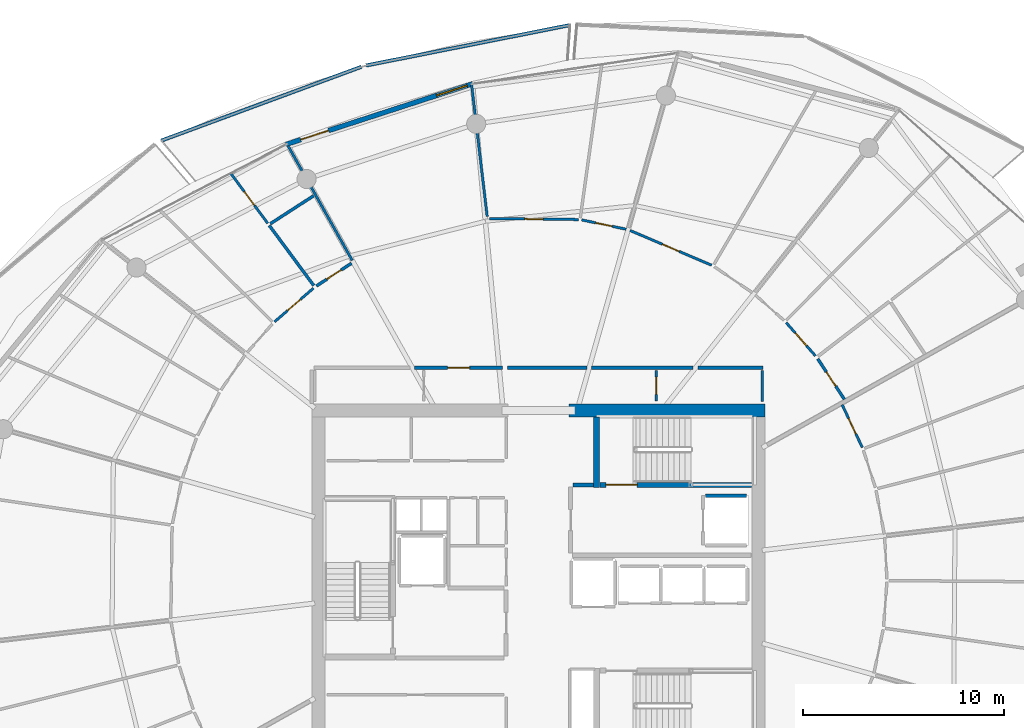
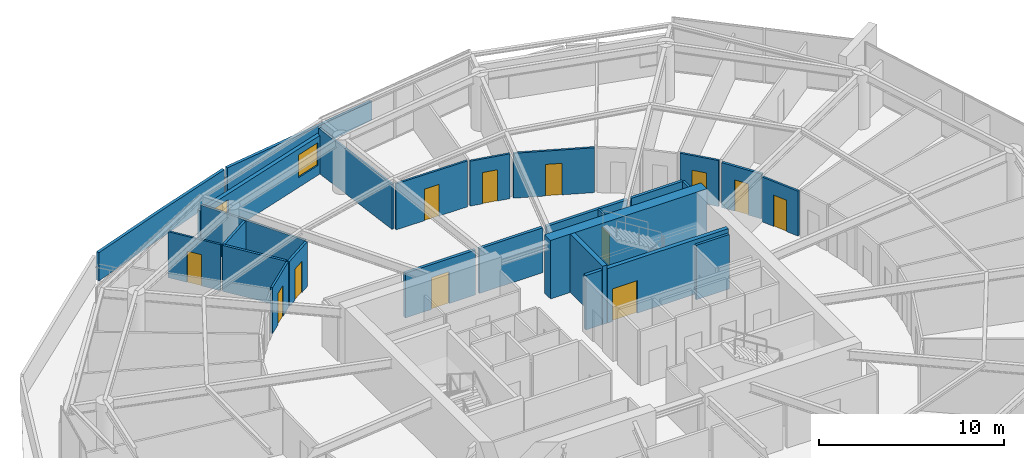
# One storey, part 23 of 31: 27 walls, 13 doors, 1 window, 14 openings.
"""IFC4 building model written with IfcOpenShell, lengths in metres."""

from ifc_helpers import new_model, si_unit, direction, frame, frame_2d, origin, place, context, subcontext, project, spatial, polyline, rectangle, outline, extrude, material, layer, layer_set, type_object, element, fill, save


model = new_model("IFC4")

# Units and contexts
model_context = context("Model", 3, precision=1e-05, world=origin(), true_north=direction((0.0, 1.0)))
body_context = subcontext(model_context, "Body", "Model", "MODEL_VIEW")
ifc_project = project(units=[si_unit("LENGTHUNIT", "METRE"), si_unit("AREAUNIT", "SQUARE_METRE"), si_unit("VOLUMEUNIT", "CUBIC_METRE"), si_unit("PLANEANGLEUNIT", "RADIAN"), si_unit("MASSUNIT", "GRAM", prefix="KILO")], contexts=[model_context])

# Site, building, storey
site_placement = place(None, origin())
site = spatial("IfcSite", under=ifc_project, at=site_placement, CompositionType="ELEMENT")
building_placement = place(site_placement, origin())
building = spatial("IfcBuilding", under=site, at=building_placement, Name="Kazma Halo Residences", CompositionType="ELEMENT")
storey_placement = place(building_placement, frame((0.0, 0.0, 240.550048828125)))
storey = spatial("IfcBuildingStorey", under=building, at=storey_placement, Name="L60", CompositionType="ELEMENT", Elevation=240.550048828125)

# Walls
ifc_material_1 = material(Name="White Concrete C50/60 Balustrade", Category="concrete")
ifc_layer_1 = layer(ifc_material_1, 0.179931640625)
ifc_layer_set_1 = layer_set([ifc_layer_1], Name="White Concrete C50/60 Balustrade")
wall_type_1 = type_object("IfcWallType", Name="WL-BAL-WAVE-180", PredefinedType="PARAPET", material=ifc_layer_set_1)
wall_1_placement = place(storey_placement, frame((49.994384765625, 69.486083984375, 0.0), z_axis=(0.0, 0.0, 1.0), x_axis=(-0.980919619001, -0.194413736807, 0.0)))
element("IfcWall", 1, at=wall_1_placement, inside=storey, type_object=wall_type_1, Name="L60 white wave balustrade wall NNW.1", PredefinedType="PARAPET", context=body_context, shape_type="SweptSolid", body=[
    extrude(outline(polyline([(0.0, 0.0), (10.34375, 0.0), (10.34375, 1.6318359375), (5.171875, 1.41796875), (0.0, 1.23291015625), (0.0, 0.0)])), frame((0.0, 0.08984375, 0.0), z_axis=(0.0, -1.0, 0.0), x_axis=(1.0, 0.0, 0.0)), (0.0, 0.0, 1.0), 0.179931640625),
])
wall_2_placement = place(storey_placement, frame((39.61767578125, 67.410400390625, 0.0), z_axis=(0.0, 0.0, 1.0), x_axis=(-0.938191788678, -0.346115829828, 0.0)))
element("IfcWall", 2, at=wall_2_placement, inside=storey, type_object=wall_type_1, Name="L60 white wave balustrade wall NNW.2", PredefinedType="PARAPET", context=body_context, shape_type="SweptSolid", body=[
    extrude(outline(polyline([(0.0, 0.0), (10.61083984375, 0.0), (10.61083984375, 1.85986328125), (5.305419921875, 1.7978515625), (0.0, 1.6318359375), (0.0, 0.0)])), frame((0.0, 0.08984375, 0.0), z_axis=(0.0, -1.0, 0.0), x_axis=(1.0, 0.0, 0.0)), (0.0, 0.0, 1.0), 0.179931640625),
])
ifc_material_2 = material(Name="Concrete C60/75", Category="concrete")
ifc_layer_2 = layer(ifc_material_2, 0.64990234375)
ifc_layer_set_2 = layer_set([ifc_layer_2], Name="Concrete C60/75")
wall_type_2 = type_object("IfcWallType", Name="WL-CORE-650", PredefinedType="SHEAR", material=ifc_layer_set_2)
wall_3_placement = place(storey_placement, frame((49.949951171875, 50.324951171875, 0.0), z_axis=(0.0, 0.0, 1.0), x_axis=(1.0, 0.0, 0.0)))
element("IfcWall", 3, at=wall_3_placement, inside=storey, type_object=wall_type_2, Name="L60 central core shear wall NE", PredefinedType="SHEAR", context=body_context, shape_type="SweptSolid", body=[
    extrude(rectangle(XDim=9.75, YDim=0.64990234375, at=frame_2d((4.875, 0.0))), origin(), (0.0, 0.0, 1.0), 3.849853515625),
])
ifc_layer_3 = layer(ifc_material_2, 0.280029296875)
ifc_layer_set_3 = layer_set([ifc_layer_3], Name="Concrete C60/75")
wall_type_3 = type_object("IfcWallType", Name="WL-CORE-ST-280", PredefinedType="SHEAR", material=ifc_layer_set_3)
wall_4_placement = place(storey_placement, frame((51.31005859375, 46.5, 0.0), z_axis=(0.0, 0.0, 1.0), x_axis=(0.0, 1.0, 0.0)))
element("IfcWall", 4, at=wall_4_placement, inside=storey, type_object=wall_type_3, Name="L60 stairwell bearing wall ST02-W", PredefinedType="SHEAR", context=body_context, shape_type="SweptSolid", body=[
    extrude(rectangle(XDim=3.5, YDim=0.280029296875, at=frame_2d((1.75, 0.0))), origin(), (0.0, 0.0, 1.0), 3.849853515625),
])

# Wall, opening, door
ifc_material_3 = material(Name="Acoustic Twin-Stud Gypsum")
ifc_layer_4 = layer(ifc_material_3, 0.179931640625)
ifc_layer_set_4 = layer_set([ifc_layer_4], Name="Acoustic Twin-Stud Gypsum")
wall_type_4 = type_object("IfcWallType", Name="WL-DEM-180", PredefinedType="PARTITIONING", material=ifc_layer_set_4)
wall_5_placement = place(storey_placement, frame((46.643310546875, 52.449951171875, 0.0), z_axis=(0.0, 0.0, 1.0), x_axis=(-1.0, 0.0, 0.0)))
wall_5 = element("IfcWall", 5, at=wall_5_placement, inside=storey, type_object=wall_type_4, Name="L60 Apartment 1 entrance corridor wall", PredefinedType="PARTITIONING", context=body_context, shape_type="SweptSolid", body=[
    extrude(rectangle(XDim=4.375732421875, YDim=0.179931640625, at=frame_2d((2.18798828125, 0.0))), origin(), (0.0, 0.0, 1.0), 2.95703125),
])
opening_1_placement = place(wall_5_placement, frame((1.6376953125, 0.0, 0.0)))
opening_1 = element("IfcOpeningElement", 6, at=opening_1_placement, cuts=wall_5, Name="Opening DA-1100", PredefinedType="OPENING", context=body_context, shape_type="SweptSolid", body=[
    extrude(rectangle(XDim=1.10009765625, YDim=2.10009765625, at=frame_2d((0.550048828125, 1.050048828125))), frame((0.0, 0.099853515625, 0.0), z_axis=(0.0, -1.0, 0.0), x_axis=(1.0, 0.0, 0.0)), (0.0, 0.0, 1.0), 0.199951171875),
])
ifc_material_4 = material(Name="Acoustic Walnut Fire Leaf")
door_type_1 = type_object("IfcDoorType", Name="DR-FD60-1100", OperationType="NOTDEFINED", PredefinedType="DOOR", material=ifc_material_4)
door_1_placement = place(opening_1_placement, origin())
door_1 = element("IfcDoor", 7, at=door_1_placement, inside=storey, type_object=door_type_1, Name="L60 Apartment 1 entrance fire door", OperationType="SINGLE_SWING_RIGHT", OverallHeight=2.10009765625, OverallWidth=1.10009765625, PredefinedType="DOOR", context=body_context, shape_type="SweptSolid", body=[
    extrude(rectangle(XDim=1.10009765625, YDim=2.10009765625, at=frame_2d((0.550048828125, 1.050048828125))), frame((0.0, 0.02490234375, 0.0), z_axis=(0.0, -1.0, 0.0), x_axis=(1.0, 0.0, 0.0)), (0.0, 0.0, 1.0), 0.050048828125),
])
fill(opening_1, door_1)

# Walls
wall_6_placement = place(storey_placement, frame((59.580078125, 52.449951171875, 0.0), z_axis=(0.0, 0.0, 1.0), x_axis=(-1.0, 0.0, 0.0)))
element("IfcWall", 8, at=wall_6_placement, inside=storey, type_object=wall_type_4, Name="L60 Apartment 1 inner wall 0", PredefinedType="PARTITIONING", context=body_context, shape_type="SweptSolid", body=[
    extrude(rectangle(XDim=3.221923828125, YDim=0.179931640625, at=frame_2d((1.61083984375, 0.0))), origin(), (0.0, 0.0, 1.0), 2.95703125),
])
wall_7_placement = place(storey_placement, frame((56.1181640625, 52.449951171875, 0.0), z_axis=(0.0, 0.0, 1.0), x_axis=(-1.0, 0.0, 0.0)))
element("IfcWall", 9, at=wall_7_placement, inside=storey, type_object=wall_type_4, Name="L60 Apartment 1 inner wall 1", PredefinedType="PARTITIONING", context=body_context, shape_type="SweptSolid", body=[
    extrude(rectangle(XDim=5.051025390625, YDim=0.179931640625, at=frame_2d((2.525390625, 0.0))), origin(), (0.0, 0.0, 1.0), 2.95703125),
])
wall_8_placement = place(storey_placement, frame((50.8271484375, 52.449951171875, 0.0), z_axis=(0.0, 0.0, 1.0), x_axis=(-1.0, 0.0, 0.0)))
element("IfcWall", 10, at=wall_8_placement, inside=storey, type_object=wall_type_4, Name="L60 Apartment 1 inner wall 2", PredefinedType="PARTITIONING", context=body_context, shape_type="SweptSolid", body=[
    extrude(rectangle(XDim=3.94384765625, YDim=0.179931640625, at=frame_2d((1.971923828125, 0.0))), origin(), (0.0, 0.0, 1.0), 2.95703125),
])

# Wall, openings, door, window
ifc_material_5 = material(Name="Insulated Pale-Metal Composite Wall")
ifc_layer_5 = layer(ifc_material_5, 0.239990234375)
ifc_layer_set_5 = layer_set([ifc_layer_5], Name="Insulated Pale-Metal Composite Wall")
wall_type_5 = type_object("IfcWallType", Name="WL-EXT-HOST-240", PredefinedType="SOLIDWALL", material=ifc_layer_set_5)
wall_9_placement = place(storey_placement, frame((45.14208984375, 66.563720703125, 0.0), z_axis=(0.0, 0.0, 1.0), x_axis=(-0.951055974609, -0.309018661507, 0.0)))
wall_9 = element("IfcWall", 11, at=wall_9_placement, inside=storey, type_object=wall_type_5, Name="L60 exterior terrace-access wall B04", PredefinedType="SOLIDWALL", context=body_context, shape_type="SweptSolid", body=[
    extrude(rectangle(XDim=9.745361328125, YDim=0.239990234375, at=frame_2d((4.87255859375, 0.0))), origin(), (0.0, 0.0, 1.0), 2.5400390625),
])
opening_2_placement = place(wall_9_placement, frame((7.525390625, 0.0, 0.0)))
opening_2 = element("IfcOpeningElement", 12, at=opening_2_placement, cuts=wall_9, Name="Opening DTR-1600", PredefinedType="OPENING", context=body_context, shape_type="SweptSolid", body=[
    extrude(rectangle(XDim=1.449951171875, YDim=2.14990234375, at=frame_2d((0.72509765625, 1.074951171875))), frame((0.0, 0.1298828125, 0.0), z_axis=(0.0, -1.0, 0.0), x_axis=(1.0, 0.0, 0.0)), (0.0, 0.0, 1.0), 0.260009765625),
])
opening_3_placement = place(wall_9_placement, frame((0.280029296875, 0.0, 0.64990234375)))
opening_3 = element("IfcOpeningElement", 13, at=opening_3_placement, cuts=wall_9, Name="Opening W-1800", PredefinedType="OPENING", context=body_context, shape_type="SweptSolid", body=[
    extrude(rectangle(XDim=1.60009765625, YDim=1.5, at=frame_2d((0.800048828125, 0.75))), frame((0.0, 0.1298828125, 0.0), z_axis=(0.0, -1.0, 0.0), x_axis=(1.0, 0.0, 0.0)), (0.0, 0.0, 1.0), 0.260009765625),
])
ifc_material_6 = material(Name="Aluminium AW-6063 T6 Double-Glazed Terrace Door", Category="aluminium")
door_type_2 = type_object("IfcDoorType", Name="DR-EXT-TERR-1600", OperationType="NOTDEFINED", PredefinedType="DOOR", material=ifc_material_6)
door_2_placement = place(opening_2_placement, origin())
door_2 = element("IfcDoor", 14, at=door_2_placement, inside=storey, type_object=door_type_2, Name="L60 B04 balcony terrace door", OperationType="DOUBLE_DOOR_SLIDING", OverallHeight=2.14990234375, OverallWidth=1.449951171875, PredefinedType="DOOR", context=body_context, shape_type="SweptSolid", body=[
    extrude(rectangle(XDim=1.449951171875, YDim=2.14990234375, at=frame_2d((0.72509765625, 1.074951171875))), frame((0.0, 0.02490234375, 0.0), z_axis=(0.0, -1.0, 0.0), x_axis=(1.0, 0.0, 0.0)), (0.0, 0.0, 1.0), 0.050048828125),
])
fill(opening_2, door_2)
ifc_material_7 = material(Name="Clear Triple-Silver Low-E Glass in Aluminium AW-6063 T6 Frame", Category="aluminium")
window_type = type_object("IfcWindowType", Name="WIN-RES-1800", PartitioningType="DOUBLE_PANEL_VERTICAL", PredefinedType="WINDOW", material=ifc_material_7)
window_placement = place(opening_3_placement, origin())
window = element("IfcWindow", 15, at=window_placement, inside=storey, type_object=window_type, Name="L60 B04 apartment window", OverallHeight=1.5, OverallWidth=1.60009765625, PartitioningType="SINGLE_PANEL", PredefinedType="WINDOW", context=body_context, shape_type="SweptSolid", body=[
    extrude(rectangle(XDim=1.60009765625, YDim=1.5, at=frame_2d((0.800048828125, 0.75))), frame((0.0, 0.030029296875, 0.0), z_axis=(0.0, -1.0, 0.0), x_axis=(1.0, 0.0, 0.0)), (0.0, 0.0, 1.0), 0.06005859375),
])
fill(opening_3, window)

# Walls
ifc_material_8 = material(Name="Fire-Rated Blockwork Masonry", Category="masonry")
ifc_layer_6 = layer(ifc_material_8, 0.199951171875)
ifc_layer_set_6 = layer_set([ifc_layer_6], Name="Fire-Rated Blockwork Masonry")
wall_type_6 = type_object("IfcWallType", Name="WL-FLB-200", PredefinedType="PARTITIONING", material=ifc_layer_set_6)
wall_10_placement = place(storey_placement, frame((56.719970703125, 46.080078125, 0.0), z_axis=(0.0, 0.0, 1.0), x_axis=(1.0, 0.0, 0.0)))
element("IfcWall", 16, at=wall_10_placement, inside=storey, type_object=wall_type_6, Name="L60 lift shaft FL-02 side wall N", PredefinedType="PARTITIONING", context=body_context, shape_type="SweptSolid", body=[
    extrude(rectangle(XDim=2.06005859375, YDim=0.159912109375, at=frame_2d((1.030029296875, 0.0))), origin(), (0.0, 0.0, 1.0), 3.58984375),
])
wall_11_placement = place(storey_placement, frame((50.139892578125, 46.6201171875, 0.0), z_axis=(0.0, 0.0, 1.0), x_axis=(1.0, 0.0, 0.0)))
element("IfcWall", 17, at=wall_11_placement, inside=storey, type_object=wall_type_6, Name="L60 east firefighting lobby north closure wall", PredefinedType="PARTITIONING", context=body_context, shape_type="SweptSolid", body=[
    extrude(rectangle(XDim=1.02001953125, YDim=0.199951171875, at=frame_2d((0.510009765625, 0.0))), origin(), (0.0, 0.0, 1.0), 3.58984375),
])
ifc_material_9 = material(Name="Gypsum Plasterboard Partition")
ifc_layer_7 = layer(ifc_material_9, 0.125)
ifc_layer_set_7 = layer_set([ifc_layer_7], Name="Gypsum Plasterboard Partition")
wall_type_7 = type_object("IfcWallType", Name="WL-PART-125", PredefinedType="PARTITIONING", material=ifc_layer_set_7)
wall_12_placement = place(storey_placement, frame((59.56005859375, 50.77001953125, 0.0), z_axis=(0.0, 0.0, 1.0), x_axis=(0.0, 1.0, 0.0)))
element("IfcWall", 18, at=wall_12_placement, inside=storey, type_object=wall_type_7, Name="L60 east cupboard end wall", PredefinedType="PARTITIONING", context=body_context, shape_type="SweptSolid", body=[
    extrude(rectangle(XDim=1.5400390625, YDim=0.125, at=frame_2d((0.77001953125, 0.0))), origin(), (0.0, 0.0, 1.0), 3.030029296875),
])

# Wall, opening, door
wall_13_placement = place(storey_placement, frame((54.2900390625, 50.7900390625, 0.0), z_axis=(0.0, 0.0, 1.0), x_axis=(0.0, 1.0, 0.0)))
wall_13 = element("IfcWall", 19, at=wall_13_placement, inside=storey, type_object=wall_type_7, Name="L60 floor metering cupboard door wall", PredefinedType="PARTITIONING", context=body_context, shape_type="SweptSolid", body=[
    extrude(rectangle(XDim=1.52001953125, YDim=0.125, at=frame_2d((0.760009765625, 0.0))), origin(), (0.0, 0.0, 1.0), 3.030029296875),
])
opening_4_placement = place(wall_13_placement, frame((0.3349609375, 0.0, 0.0)))
opening_4 = element("IfcOpeningElement", 20, at=opening_4_placement, cuts=wall_13, Name="Opening DS-850", PredefinedType="OPENING", context=body_context, shape_type="SweptSolid", body=[
    extrude(rectangle(XDim=0.85009765625, YDim=2.06005859375, at=frame_2d((0.425048828125, 1.030029296875))), frame((0.0, 0.072509765625, 0.0), z_axis=(0.0, -1.0, 0.0), x_axis=(1.0, 0.0, 0.0)), (0.0, 0.0, 1.0), 0.14501953125),
])
ifc_material_10 = material(Name="Painted Steel Access Leaf", Category="steel")
door_type_3 = type_object("IfcDoorType", Name="DR-SVC-850", OperationType="NOTDEFINED", PredefinedType="DOOR", material=ifc_material_10)
door_3_placement = place(opening_4_placement, origin())
door_3 = element("IfcDoor", 21, at=door_3_placement, inside=storey, type_object=door_type_3, Name="L60 floor cupboard door", OperationType="SINGLE_SWING_RIGHT", OverallHeight=2.06005859375, OverallWidth=0.85009765625, PredefinedType="DOOR", context=body_context, shape_type="SweptSolid", body=[
    extrude(rectangle(XDim=0.85009765625, YDim=2.06005859375, at=frame_2d((0.425048828125, 1.030029296875))), frame((0.0, 0.02490234375, 0.0), z_axis=(0.0, -1.0, 0.0), x_axis=(1.0, 0.0, 0.0)), (0.0, 0.0, 1.0), 0.050048828125),
])
fill(opening_4, door_3)

wall_14_placement = place(storey_placement, frame((62.200439453125, 53.030517578125, 0.0), z_axis=(0.0, 0.0, 1.0), x_axis=(-0.660650282497, 0.750693815238, 0.0)))
wall_14 = element("IfcWall", 22, at=wall_14_placement, inside=storey, type_object=wall_type_7, Name="L60 Apartment 1 Gourmet Kitchen hall wall", PredefinedType="PARTITIONING", context=body_context, shape_type="SweptSolid", body=[
    extrude(rectangle(XDim=2.21240234375, YDim=0.125, at=frame_2d((1.106201171875, 0.0))), origin(), (0.0, 0.0, 1.0), 3.030029296875),
])
opening_5_placement = place(wall_14_placement, frame((0.681396484375, 0.0, 0.0)))
opening_5 = element("IfcOpeningElement", 23, at=opening_5_placement, cuts=wall_14, Name="Opening DB-900", PredefinedType="OPENING", context=body_context, shape_type="SweptSolid", body=[
    extrude(rectangle(XDim=0.85009765625, YDim=2.06005859375, at=frame_2d((0.425048828125, 1.030029296875))), frame((0.0, 0.072509765625, 0.0), z_axis=(0.0, -1.0, 0.0), x_axis=(1.0, 0.0, 0.0)), (0.0, 0.0, 1.0), 0.14501953125),
])
ifc_material_11 = material(Name="Moisture-Sealed Timber Leaf", Category="wood")
door_type_4 = type_object("IfcDoorType", Name="DR-BTH-900", OperationType="NOTDEFINED", PredefinedType="DOOR", material=ifc_material_11)
door_4_placement = place(opening_5_placement, origin())
door_4 = element("IfcDoor", 24, at=door_4_placement, inside=storey, type_object=door_type_4, Name="L60 Apartment 1 Gourmet Kitchen door", OperationType="SINGLE_SWING_LEFT", OverallHeight=2.06005859375, OverallWidth=0.85009765625, PredefinedType="DOOR", context=body_context, shape_type="SweptSolid", body=[
    extrude(rectangle(XDim=0.85009765625, YDim=2.06005859375, at=frame_2d((0.425048828125, 1.030029296875))), frame((0.0, 0.02490234375, 0.0), z_axis=(0.0, -1.0, 0.0), x_axis=(1.0, 0.0, 0.0)), (0.0, 0.0, 1.0), 0.050048828125),
])
fill(opening_5, door_4)

wall_15_placement = place(storey_placement, frame((57.03369140625, 57.542236328125, 0.0), z_axis=(0.0, 0.0, 1.0), x_axis=(-0.919921628857, 0.392102278445, 0.0)))
wall_15 = element("IfcWall", 25, at=wall_15_placement, inside=storey, type_object=wall_type_7, Name="L60 Apartment 1 West Formal Dining Room hall wall", PredefinedType="PARTITIONING", context=body_context, shape_type="SweptSolid", body=[
    extrude(rectangle(XDim=4.41259765625, YDim=0.125, at=frame_2d((2.206298828125, 0.0))), origin(), (0.0, 0.0, 1.0), 2.95703125),
])
opening_6_placement = place(wall_15_placement, frame((1.75634765625, 0.0, 0.0)))
opening_6 = element("IfcOpeningElement", 26, at=opening_6_placement, cuts=wall_15, Name="Opening DI-950", PredefinedType="OPENING", context=body_context, shape_type="SweptSolid", body=[
    extrude(rectangle(XDim=0.89990234375, YDim=2.080078125, at=frame_2d((0.449951171875, 1.0400390625))), frame((0.0, 0.072509765625, 0.0), z_axis=(0.0, -1.0, 0.0), x_axis=(1.0, 0.0, 0.0)), (0.0, 0.0, 1.0), 0.14501953125),
])
ifc_material_12 = material(Name="Timber Veneer Flush Leaf", Category="wood")
door_type_5 = type_object("IfcDoorType", Name="DR-INT-950", OperationType="NOTDEFINED", PredefinedType="DOOR", material=ifc_material_12)
door_5_placement = place(opening_6_placement, origin())
door_5 = element("IfcDoor", 27, at=door_5_placement, inside=storey, type_object=door_type_5, Name="L60 Apartment 1 West Formal Dining Room door", OperationType="SINGLE_SWING_LEFT", OverallHeight=2.080078125, OverallWidth=0.89990234375, PredefinedType="DOOR", context=body_context, shape_type="SweptSolid", body=[
    extrude(rectangle(XDim=0.89990234375, YDim=2.080078125, at=frame_2d((0.449951171875, 1.0400390625))), frame((0.0, 0.02490234375, 0.0), z_axis=(0.0, -1.0, 0.0), x_axis=(1.0, 0.0, 0.0)), (0.0, 0.0, 1.0), 0.050048828125),
])
fill(opening_6, door_5)

# Wall
wall_16_placement = place(storey_placement, frame((45.8740234375, 59.961669921875, 0.0), z_axis=(0.0, 0.0, 1.0), x_axis=(-0.117533659592, 0.993068899353, 0.0)))
element("IfcWall", 28, at=wall_16_placement, inside=storey, type_object=wall_type_7, Name="L60 Apartment 1 living radial partition 2", PredefinedType="PARTITIONING", context=body_context, shape_type="SweptSolid", body=[
    extrude(rectangle(XDim=6.607666015625, YDim=0.125, at=frame_2d((3.3037109375, 0.0))), origin(), (0.0, 0.0, 1.0), 2.95703125),
])

# Wall, opening, door
wall_17_placement = place(storey_placement, frame((52.784423828125, 59.332275390625, 0.0), z_axis=(0.0, 0.0, 1.0), x_axis=(-0.978655016217, 0.205509997891, 0.0)))
wall_17 = element("IfcWall", 29, at=wall_17_placement, inside=storey, type_object=wall_type_7, Name="L60 Apartment 1 North Dressing Wardrobe hall wall", PredefinedType="PARTITIONING", context=body_context, shape_type="SweptSolid", body=[
    extrude(rectangle(XDim=2.261962890625, YDim=0.125, at=frame_2d((1.130859375, 0.0))), origin(), (0.0, 0.0, 1.0), 2.95703125),
])
opening_7_placement = place(wall_17_placement, frame((0.7060546875, 0.0, 0.0)))
opening_7 = element("IfcOpeningElement", 30, at=opening_7_placement, cuts=wall_17, Name="Opening DB-900", PredefinedType="OPENING", context=body_context, shape_type="SweptSolid", body=[
    extrude(rectangle(XDim=0.85009765625, YDim=2.06005859375, at=frame_2d((0.425048828125, 1.030029296875))), frame((0.0, 0.072509765625, 0.0), z_axis=(0.0, -1.0, 0.0), x_axis=(1.0, 0.0, 0.0)), (0.0, 0.0, 1.0), 0.14501953125),
])
door_6_placement = place(opening_7_placement, origin())
door_6 = element("IfcDoor", 31, at=door_6_placement, inside=storey, type_object=door_type_4, Name="L60 Apartment 1 North Dressing Wardrobe door", OperationType="SINGLE_SWING_LEFT", OverallHeight=2.06005859375, OverallWidth=0.85009765625, PredefinedType="DOOR", context=body_context, shape_type="SweptSolid", body=[
    extrude(rectangle(XDim=0.85009765625, YDim=2.06005859375, at=frame_2d((0.425048828125, 1.030029296875))), frame((0.0, 0.02490234375, 0.0), z_axis=(0.0, -1.0, 0.0), x_axis=(1.0, 0.0, 0.0)), (0.0, 0.0, 1.0), 0.050048828125),
])
fill(opening_7, door_6)

wall_18_placement = place(storey_placement, frame((50.412353515625, 59.814208984375, 0.0), z_axis=(0.0, 0.0, 1.0), x_axis=(-0.999943934923, 0.01058900422, 0.0)))
wall_18 = element("IfcWall", 32, at=wall_18_placement, inside=storey, type_object=wall_type_7, Name="L60 Apartment 1 South Master Bedroom hall wall", PredefinedType="PARTITIONING", context=body_context, shape_type="SweptSolid", body=[
    extrude(rectangle(XDim=4.4267578125, YDim=0.125, at=frame_2d((2.21337890625, 0.0))), origin(), (0.0, 0.0, 1.0), 3.030029296875),
])
opening_8_placement = place(wall_18_placement, frame((1.763427734375, 0.0, 0.0)))
opening_8 = element("IfcOpeningElement", 33, at=opening_8_placement, cuts=wall_18, Name="Opening DI-950", PredefinedType="OPENING", context=body_context, shape_type="SweptSolid", body=[
    extrude(rectangle(XDim=0.89990234375, YDim=2.080078125, at=frame_2d((0.449951171875, 1.0400390625))), frame((0.0, 0.072509765625, 0.0), z_axis=(0.0, -1.0, 0.0), x_axis=(1.0, 0.0, 0.0)), (0.0, 0.0, 1.0), 0.14501953125),
])
door_7_placement = place(opening_8_placement, origin())
door_7 = element("IfcDoor", 34, at=door_7_placement, inside=storey, type_object=door_type_5, Name="L60 Apartment 1 South Master Bedroom door", OperationType="SINGLE_SWING_RIGHT", OverallHeight=2.080078125, OverallWidth=0.89990234375, PredefinedType="DOOR", context=body_context, shape_type="SweptSolid", body=[
    extrude(rectangle(XDim=0.89990234375, YDim=2.080078125, at=frame_2d((0.449951171875, 1.0400390625))), frame((0.0, 0.02490234375, 0.0), z_axis=(0.0, -1.0, 0.0), x_axis=(1.0, 0.0, 0.0)), (0.0, 0.0, 1.0), 0.050048828125),
])
fill(opening_8, door_7)

# Wall
wall_19_placement = place(storey_placement, frame((39.162353515625, 57.78076171875, 0.0), z_axis=(0.0, 0.0, 1.0), x_axis=(-0.488634212347, 0.872488742921, 0.0)))
element("IfcWall", 35, at=wall_19_placement, inside=storey, type_object=wall_type_7, Name="L60 Apartment 1 radial partition 4", PredefinedType="PARTITIONING", context=body_context, shape_type="SweptSolid", body=[
    extrude(rectangle(XDim=6.5078125, YDim=0.125, at=frame_2d((3.25390625, 0.0))), origin(), (0.0, 0.0, 1.0), 2.95703125),
])

# Wall, opening, door
wall_20_placement = place(storey_placement, frame((34.958984375, 59.62744140625, 0.0), z_axis=(0.0, 0.0, 1.0), x_axis=(-0.594802878268, 0.803871591738, 0.0)))
wall_20 = element("IfcWall", 36, at=wall_20_placement, inside=storey, type_object=wall_type_7, Name="L60 Apartment 1 Outer Walk-In Wardrobe partition wall", PredefinedType="PARTITIONING", context=body_context, shape_type="SweptSolid", body=[
    extrude(rectangle(XDim=3.06640625, YDim=0.125, at=frame_2d((1.533203125, 0.0))), origin(), (0.0, 0.0, 1.0), 3.030029296875),
])
opening_9_placement = place(wall_20_placement, frame((1.1083984375, 0.0, 0.0)))
opening_9 = element("IfcOpeningElement", 37, at=opening_9_placement, cuts=wall_20, Name="Opening DB-900", PredefinedType="OPENING", context=body_context, shape_type="SweptSolid", body=[
    extrude(rectangle(XDim=0.85009765625, YDim=2.06005859375, at=frame_2d((0.425048828125, 1.030029296875))), frame((0.0, 0.072509765625, 0.0), z_axis=(0.0, -1.0, 0.0), x_axis=(1.0, 0.0, 0.0)), (0.0, 0.0, 1.0), 0.14501953125),
])
door_8_placement = place(opening_9_placement, origin())
door_8 = element("IfcDoor", 38, at=door_8_placement, inside=storey, type_object=door_type_4, Name="L60 Apartment 1 Outer Walk-In Wardrobe door", OperationType="SINGLE_SWING_RIGHT", OverallHeight=2.06005859375, OverallWidth=0.85009765625, PredefinedType="DOOR", context=body_context, shape_type="SweptSolid", body=[
    extrude(rectangle(XDim=0.85009765625, YDim=2.06005859375, at=frame_2d((0.425048828125, 1.030029296875))), frame((0.0, 0.02490234375, 0.0), z_axis=(0.0, -1.0, 0.0), x_axis=(1.0, 0.0, 0.0)), (0.0, 0.0, 1.0), 0.050048828125),
])
fill(opening_9, door_8)

wall_21_placement = place(storey_placement, frame((37.234130859375, 56.40087890625, 0.0), z_axis=(0.0, 0.0, 1.0), x_axis=(-0.756561034508, -0.653923084976, 0.0)))
wall_21 = element("IfcWall", 39, at=wall_21_placement, inside=storey, type_object=wall_type_7, Name="L60 Apartment 1 Corner Private Study hall wall", PredefinedType="PARTITIONING", context=body_context, shape_type="SweptSolid", body=[
    extrude(rectangle(XDim=2.55712890625, YDim=0.125, at=frame_2d((1.278564453125, 0.0))), origin(), (0.0, 0.0, 1.0), 3.030029296875),
])
opening_10_placement = place(wall_21_placement, frame((0.853515625, 0.0, 0.0)))
opening_10 = element("IfcOpeningElement", 40, at=opening_10_placement, cuts=wall_21, Name="Opening DB-900", PredefinedType="OPENING", context=body_context, shape_type="SweptSolid", body=[
    extrude(rectangle(XDim=0.85009765625, YDim=2.06005859375, at=frame_2d((0.425048828125, 1.030029296875))), frame((0.0, 0.072509765625, 0.0), z_axis=(0.0, -1.0, 0.0), x_axis=(1.0, 0.0, 0.0)), (0.0, 0.0, 1.0), 0.14501953125),
])
door_9_placement = place(opening_10_placement, origin())
door_9 = element("IfcDoor", 41, at=door_9_placement, inside=storey, type_object=door_type_4, Name="L60 Apartment 1 Corner Private Study door", OperationType="SINGLE_SWING_LEFT", OverallHeight=2.06005859375, OverallWidth=0.85009765625, PredefinedType="DOOR", context=body_context, shape_type="SweptSolid", body=[
    extrude(rectangle(XDim=0.85009765625, YDim=2.06005859375, at=frame_2d((0.425048828125, 1.030029296875))), frame((0.0, 0.02490234375, 0.0), z_axis=(0.0, -1.0, 0.0), x_axis=(1.0, 0.0, 0.0)), (0.0, 0.0, 1.0), 0.050048828125),
])
fill(opening_10, door_9)

wall_22_placement = place(storey_placement, frame((64.52685546875, 48.479248046875, 0.0), z_axis=(0.0, 0.0, 1.0), x_axis=(-0.425751972865, 0.904839907167, 0.0)))
wall_22 = element("IfcWall", 42, at=wall_22_placement, inside=storey, type_object=wall_type_7, Name="L60 Apartment 2 North Master Bedroom hall wall", PredefinedType="PARTITIONING", context=body_context, shape_type="SweptSolid", body=[
    extrude(rectangle(XDim=2.34814453125, YDim=0.125, at=frame_2d((1.174072265625, 0.0))), origin(), (0.0, 0.0, 1.0), 2.95703125),
])
opening_11_placement = place(wall_22_placement, frame((0.7490234375, 0.0, 0.0)))
opening_11 = element("IfcOpeningElement", 43, at=opening_11_placement, cuts=wall_22, Name="Opening DB-900", PredefinedType="OPENING", context=body_context, shape_type="SweptSolid", body=[
    extrude(rectangle(XDim=0.85009765625, YDim=2.06005859375, at=frame_2d((0.425048828125, 1.030029296875))), frame((0.0, 0.072509765625, 0.0), z_axis=(0.0, -1.0, 0.0), x_axis=(1.0, 0.0, 0.0)), (0.0, 0.0, 1.0), 0.14501953125),
])
door_10_placement = place(opening_11_placement, origin())
door_10 = element("IfcDoor", 44, at=door_10_placement, inside=storey, type_object=door_type_4, Name="L60 Apartment 2 North Master Bedroom door", OperationType="SINGLE_SWING_LEFT", OverallHeight=2.06005859375, OverallWidth=0.85009765625, PredefinedType="DOOR", context=body_context, shape_type="SweptSolid", body=[
    extrude(rectangle(XDim=0.85009765625, YDim=2.06005859375, at=frame_2d((0.425048828125, 1.030029296875))), frame((0.0, 0.02490234375, 0.0), z_axis=(0.0, -1.0, 0.0), x_axis=(1.0, 0.0, 0.0)), (0.0, 0.0, 1.0), 0.050048828125),
])
fill(opening_11, door_10)

ifc_material_13 = material(Name="Concrete C50/60", Category="concrete")
ifc_layer_8 = layer(ifc_material_13, 0.25)
ifc_layer_set_8 = layer_set([ifc_layer_8], Name="Concrete C50/60")
wall_type_8 = type_object("IfcWallType", Name="WL-SHF-250", PredefinedType="SOLIDWALL", material=ifc_layer_set_8)
wall_23_placement = place(storey_placement, frame((51.47998046875, 46.6201171875, 0.0), z_axis=(0.0, 0.0, 1.0), x_axis=(1.0, 0.0, 0.0)))
wall_23 = element("IfcWall", 45, at=wall_23_placement, inside=storey, type_object=wall_type_8, Name="L60 exit stair ST-02 enclosure wall", PredefinedType="SOLIDWALL", context=body_context, shape_type="SweptSolid", body=[
    extrude(rectangle(XDim=7.5400390625, YDim=0.25, at=frame_2d((3.77001953125, 0.0))), origin(), (0.0, 0.0, 1.0), 3.58984375),
])
opening_12_placement = place(wall_23_placement, frame((0.300048828125, 0.0, 0.0)))
opening_12 = element("IfcOpeningElement", 46, at=opening_12_placement, cuts=wall_23, Name="Opening D-ST2", PredefinedType="OPENING", context=body_context, shape_type="SweptSolid", body=[
    extrude(rectangle(XDim=1.550048828125, YDim=2.14990234375, at=frame_2d((0.77490234375, 1.074951171875))), frame((0.0, 0.135009765625, 0.0), z_axis=(0.0, -1.0, 0.0), x_axis=(1.0, 0.0, 0.0)), (0.0, 0.0, 1.0), 0.27001953125),
])
ifc_material_14 = material(Name="Fire-Rated Double Steel Leaf", Category="steel")
door_type_6 = type_object("IfcDoorType", Name="DR-FD90-1550", OperationType="NOTDEFINED", PredefinedType="DOOR", material=ifc_material_14)
door_11_placement = place(opening_12_placement, origin())
door_11 = element("IfcDoor", 47, at=door_11_placement, inside=storey, type_object=door_type_6, Name="L60 exit stair ST-02 fire door", OperationType="DOUBLE_DOOR_SINGLE_SWING", OverallHeight=2.14990234375, OverallWidth=1.550048828125, PredefinedType="DOOR", context=body_context, shape_type="SweptSolid", body=[
    extrude(rectangle(XDim=1.550048828125, YDim=2.14990234375, at=frame_2d((0.77490234375, 1.074951171875))), frame((0.0, 0.02490234375, 0.0), z_axis=(0.0, -1.0, 0.0), x_axis=(1.0, 0.0, 0.0)), (0.0, 0.0, 1.0), 0.050048828125),
])
fill(opening_12, door_11)

ifc_material_15 = material(Name="Moisture-Resistant Gypsum")
ifc_layer_9 = layer(ifc_material_15, 0.14990234375)
ifc_layer_set_9 = layer_set([ifc_layer_9], Name="Moisture-Resistant Gypsum")
wall_type_9 = type_object("IfcWallType", Name="WL-WET-150", PredefinedType="PARTITIONING", material=ifc_layer_set_9)
wall_24_placement = place(storey_placement, frame((63.638671875, 50.872314453125, 0.0), z_axis=(0.0, 0.0, 1.0), x_axis=(-0.550539267926, 0.834809268319, 0.0)))
wall_24 = element("IfcWall", 48, at=wall_24_placement, inside=storey, type_object=wall_type_9, Name="L60 Apartment 1 Guest Bathroom hall wall", PredefinedType="PARTITIONING", context=body_context, shape_type="SweptSolid", body=[
    extrude(rectangle(XDim=2.4140625, YDim=0.14990234375, at=frame_2d((1.20703125, 0.0))), origin(), (0.0, 0.0, 1.0), 2.95703125),
])
opening_13_placement = place(wall_24_placement, frame((0.781982421875, 0.0, 0.0)))
opening_13 = element("IfcOpeningElement", 49, at=opening_13_placement, cuts=wall_24, Name="Opening DB-900", PredefinedType="OPENING", context=body_context, shape_type="SweptSolid", body=[
    extrude(rectangle(XDim=0.85009765625, YDim=2.06005859375, at=frame_2d((0.425048828125, 1.030029296875))), frame((0.0, 0.0849609375, 0.0), z_axis=(0.0, -1.0, 0.0), x_axis=(1.0, 0.0, 0.0)), (0.0, 0.0, 1.0), 0.169921875),
])
door_12_placement = place(opening_13_placement, origin())
door_12 = element("IfcDoor", 50, at=door_12_placement, inside=storey, type_object=door_type_4, Name="L60 Apartment 1 Guest Bathroom door", OperationType="SINGLE_SWING_LEFT", OverallHeight=2.06005859375, OverallWidth=0.85009765625, PredefinedType="DOOR", context=body_context, shape_type="SweptSolid", body=[
    extrude(rectangle(XDim=0.85009765625, YDim=2.06005859375, at=frame_2d((0.425048828125, 1.030029296875))), frame((0.0, 0.02490234375, 0.0), z_axis=(0.0, -1.0, 0.0), x_axis=(1.0, 0.0, 0.0)), (0.0, 0.0, 1.0), 0.050048828125),
])
fill(opening_13, door_12)

wall_25_placement = place(storey_placement, frame((39.127197265625, 57.639404296875, 0.0), z_axis=(0.0, 0.0, 1.0), x_axis=(-0.839881323623, -0.542770082291, 0.0)))
wall_25 = element("IfcWall", 51, at=wall_25_placement, inside=storey, type_object=wall_type_9, Name="L60 Apartment 1 Inner En-Suite Bathroom hall wall", PredefinedType="PARTITIONING", context=body_context, shape_type="SweptSolid", body=[
    extrude(rectangle(XDim=2.0830078125, YDim=0.14990234375, at=frame_2d((1.04150390625, 0.0))), origin(), (0.0, 0.0, 1.0), 2.95703125),
])
opening_14_placement = place(wall_25_placement, frame((0.616455078125, 0.0, 0.0)))
opening_14 = element("IfcOpeningElement", 52, at=opening_14_placement, cuts=wall_25, Name="Opening DB-900", PredefinedType="OPENING", context=body_context, shape_type="SweptSolid", body=[
    extrude(rectangle(XDim=0.85009765625, YDim=2.06005859375, at=frame_2d((0.425048828125, 1.030029296875))), frame((0.0, 0.0849609375, 0.0), z_axis=(0.0, -1.0, 0.0), x_axis=(1.0, 0.0, 0.0)), (0.0, 0.0, 1.0), 0.169921875),
])
door_13_placement = place(opening_14_placement, origin())
door_13 = element("IfcDoor", 53, at=door_13_placement, inside=storey, type_object=door_type_4, Name="L60 Apartment 1 Inner En-Suite Bathroom door", OperationType="SINGLE_SWING_LEFT", OverallHeight=2.06005859375, OverallWidth=0.85009765625, PredefinedType="DOOR", context=body_context, shape_type="SweptSolid", body=[
    extrude(rectangle(XDim=0.85009765625, YDim=2.06005859375, at=frame_2d((0.425048828125, 1.030029296875))), frame((0.0, 0.02490234375, 0.0), z_axis=(0.0, -1.0, 0.0), x_axis=(1.0, 0.0, 0.0)), (0.0, 0.0, 1.0), 0.050048828125),
])
fill(opening_14, door_13)

# Walls
wall_26_placement = place(storey_placement, frame((37.24609375, 60.998291015625, 0.0), z_axis=(0.0, 0.0, 1.0), x_axis=(-0.839916668497, -0.542715385798, 0.0)))
element("IfcWall", 54, at=wall_26_placement, inside=storey, type_object=wall_type_9, Name="L60 Apartment 1 Inner En-Suite Bathroom back wall", PredefinedType="PARTITIONING", context=body_context, shape_type="SweptSolid", body=[
    extrude(rectangle(XDim=2.569580078125, YDim=0.14990234375, at=frame_2d((1.28466796875, 0.0))), origin(), (0.0, 0.0, 1.0), 2.95703125),
])
wall_27_placement = place(storey_placement, frame((37.248779296875, 56.5322265625, 0.0), z_axis=(0.0, 0.0, 1.0), x_axis=(-0.59478957188, 0.803881437267, 0.0)))
element("IfcWall", 55, at=wall_27_placement, inside=storey, type_object=wall_type_9, Name="L60 Apartment 1 Inner En-Suite Bathroom side wall", PredefinedType="PARTITIONING", context=body_context, shape_type="SweptSolid", body=[
    extrude(rectangle(XDim=3.719970703125, YDim=0.14990234375, at=frame_2d((1.85986328125, 0.0))), origin(), (0.0, 0.0, 1.0), 3.030029296875),
])

save(model, "model.ifc")
